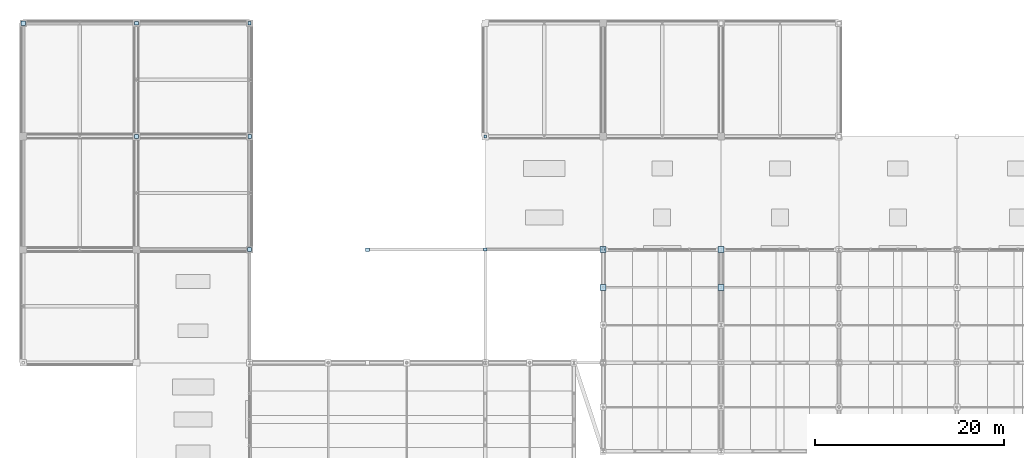
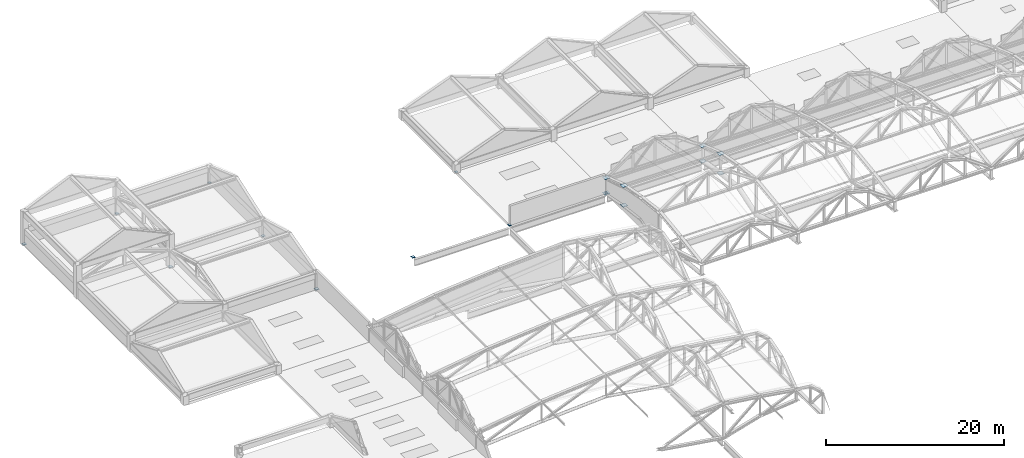
# One storey, part 106 of 117: 18 plates.
"""IFC4 building model written with IfcOpenShell, lengths in metres."""

import ifcopenshell
import ifcopenshell.guid

model = None  # the IFC model being written
_history = None  # IfcOwnerHistory: only IFC2X3 demands one
_inside = {}  # id of a spatial element -> (the spatial element, [elements in it])
_under = {}  # id of a project, library or spatial element -> (it, [spatial elements below it])
_declared = {}  # id of a project -> (the project, [libraries it declares])
_typed = {}  # id of a type object -> (the type object, [elements of that type])
_made_of = {}  # id of a material, layer set ... -> (it, [elements and type objects made of it])


def new_model(schema):
    """Start an empty IFC model of exactly this schema.

    Asked for "IFC4X3", IfcOpenShell would pick the latest addendum, in which some entities
    have other attributes; the version numbers below select the first issue.
    IFC2X3 requires an IfcOwnerHistory on every rooted entity: one is made here for all.
    """
    global model, _history
    if schema == "IFC4X3":
        model = ifcopenshell.file(schema_version=(4, 3, 0, 0))
    else:
        model = ifcopenshell.file(schema=schema)
    _inside.clear()
    _under.clear()
    _declared.clear()
    _typed.clear()
    _made_of.clear()
    _history = None
    if model.schema == "IFC2X3":
        org = make("IfcOrganization", Name="unknown")
        user = make(
            "IfcPersonAndOrganization",
            ThePerson=make("IfcPerson", FamilyName="unknown"),
            TheOrganization=org,
        )
        app = make(
            "IfcApplication",
            ApplicationDeveloper=org,
            Version="unknown",
            ApplicationFullName="unknown",
            ApplicationIdentifier="unknown",
        )
        _history = make(
            "IfcOwnerHistory",
            OwningUser=user,
            OwningApplication=app,
            ChangeAction="ADDED",
            CreationDate=0,
        )
    return model


def make(cls, **values):
    """One entity of the class cls with the attributes given. An attribute that is None is left unset."""
    return model.create_entity(
        cls, **{name: value for name, value in values.items() if value is not None}
    )


def rooted(cls, **values):
    """An entity with a GlobalId (a new one), such as an element, a storey or a relation."""
    return make(cls, GlobalId=ifcopenshell.guid.new(), OwnerHistory=_history, **values)


def si_unit(unit_type, name, prefix=None):
    """IfcSIUnit, for example si_unit("LENGTHUNIT", "METRE", prefix="MILLI")."""
    return make("IfcSIUnit", UnitType=unit_type, Prefix=prefix, Name=name)


def assignment(units):
    """IfcUnitAssignment: the units of a project."""
    return None if units is None else make("IfcUnitAssignment", Units=units)


def point(xyz):
    """IfcCartesianPoint."""
    return None if xyz is None else make("IfcCartesianPoint", Coordinates=xyz)


def direction(xyz):
    """IfcDirection."""
    return None if xyz is None else make("IfcDirection", DirectionRatios=xyz)


def frame(location, z_axis=None, x_axis=None):
    """IfcAxis2Placement3D, a coordinate frame: its origin and axes. An axis left out is left unset."""
    return make(
        "IfcAxis2Placement3D",
        Location=point(location),
        Axis=direction(z_axis),
        RefDirection=direction(x_axis),
    )


def frame_2d(location, x_axis=None):
    """IfcAxis2Placement2D, a coordinate frame in the plane: its origin and x axis."""
    return make(
        "IfcAxis2Placement2D", Location=point(location), RefDirection=direction(x_axis)
    )


def origin():
    """The frame at (0, 0, 0) with its axes left unset."""
    return frame((0.0, 0.0, 0.0))


def origin_2d():
    """The frame at (0, 0) in the plane with its x axis left unset."""
    return frame_2d((0.0, 0.0))


def place(relative_to, where):
    """IfcLocalPlacement: puts the frame where relative to a parent placement (None: the world)."""
    return make(
        "IfcLocalPlacement", PlacementRelTo=relative_to, RelativePlacement=where
    )


def context(
    kind, dimensions, precision=None, world=None, true_north=None, identifier=None
):
    """IfcGeometricRepresentationContext, for example the 3D "Model" context."""
    return make(
        "IfcGeometricRepresentationContext",
        ContextIdentifier=identifier,
        ContextType=kind,
        CoordinateSpaceDimension=dimensions,
        Precision=precision,
        WorldCoordinateSystem=world,
        TrueNorth=true_north,
    )


def subcontext(parent, identifier, kind, view, scale=None):
    """IfcGeometricRepresentationSubContext, for example "Body" below "Model"."""
    return make(
        "IfcGeometricRepresentationSubContext",
        ContextIdentifier=identifier,
        ContextType=kind,
        ParentContext=parent,
        TargetScale=scale,
        TargetView=view,
    )


def project(units=None, contexts=None):
    """IfcProject with its units and contexts."""
    return rooted(
        "IfcProject",
        Name="project",
        RepresentationContexts=contexts,
        UnitsInContext=assignment(units),
    )


def spatial(cls, under=None, at=None, **own):
    """A site, building, storey or space (cls), placed at a placement, below another one or the project."""
    s = rooted(cls, ObjectPlacement=at, **own)
    if under is not None:
        _under.setdefault(under.id(), (under, []))[1].append(s)
    return s


def profile(cls, at=None, kind="AREA", **sizes):
    """A parametric profile (cls). Its sizes go by their IFC names, for example OverallWidth=200.0."""
    return make(cls, ProfileType=kind, Position=at, **sizes)


def rectangle(**sizes):
    """IfcRectangleProfileDef."""
    return profile("IfcRectangleProfileDef", **sizes)


def extrude(swept, where, along, depth):
    """IfcExtrudedAreaSolid: the profile swept, set in the frame where, extruded along a direction by depth."""
    return make(
        "IfcExtrudedAreaSolid",
        SweptArea=swept,
        Position=where,
        ExtrudedDirection=direction(along),
        Depth=depth,
    )


def shape(context_of_items, identifier, shape_type, items):
    """IfcShapeRepresentation: the items that make up one representation, for example the "Body"."""
    return make(
        "IfcShapeRepresentation",
        ContextOfItems=context_of_items,
        RepresentationIdentifier=identifier,
        RepresentationType=shape_type,
        Items=items,
    )


def material(Name=None, Category=None):
    """IfcMaterial."""
    return make("IfcMaterial", Name=Name, Category=Category)


def layer(
    of_material, thickness, ventilated=None, Name=None, Category=None, Priority=None
):
    """IfcMaterialLayer: one layer of a wall or slab, of a material (None: an air gap)."""
    return make(
        "IfcMaterialLayer",
        Material=of_material,
        LayerThickness=thickness,
        IsVentilated=ventilated,
        Name=Name,
        Category=Category,
        Priority=Priority,
    )


def layer_set(layers, Name=None):
    """IfcMaterialLayerSet."""
    return make("IfcMaterialLayerSet", MaterialLayers=layers, LayerSetName=Name)


def made_of(thing, what):
    """Note that an element or type object is made of a material, layer set ...; save() writes the relation."""
    if what is not None:
        _made_of.setdefault(what.id(), (what, []))[1].append(thing)
    return thing


def type_object(cls, material=None, **own):
    """A type object (cls), such as IfcWallType, which elements share."""
    return made_of(rooted(cls, **own), material)


def element(
    cls,
    number,
    at=None,
    inside=None,
    cuts=None,
    type_object=None,
    material=None,
    context=None,
    identifier="Body",
    shape_type=None,
    held_by="IfcProductDefinitionShape",
    body=None,
    shapes=None,
    **own,
):
    """One element of the class cls, such as IfcWall. Its Tag is "e" and its number.

    at: its placement. inside: the storey or other place that contains it. cuts: it is an
    opening in that element (IfcRelVoidsElement). A single representation is given by context,
    identifier, shape_type and body (its items); several are given by shapes. held_by: the class
    of the entity that holds the representations. save() writes the other relations.
    """
    e = rooted(cls, Tag="e%d" % number, ObjectPlacement=at, **own)
    if body is not None:
        shapes = [shape(context, identifier, shape_type, body)]
    if shapes is not None:
        e.Representation = make(held_by, Representations=shapes)
    if inside is not None:
        _inside.setdefault(inside.id(), (inside, []))[1].append(e)
    if cuts is not None:
        rooted(
            "IfcRelVoidsElement", RelatingBuildingElement=cuts, RelatedOpeningElement=e
        )
    if type_object is not None:
        _typed.setdefault(type_object.id(), (type_object, []))[1].append(e)
    return made_of(e, material)


def aggregate(whole, parts):
    """IfcRelAggregates: a whole, such as a stair, and the parts it consists of."""
    return rooted("IfcRelAggregates", RelatingObject=whole, RelatedObjects=parts)


def save(model, path):
    """Write the relations noted so far, then the file.

    IfcRelAggregates (storeys below a building ...), IfcRelContainedInSpatialStructure (elements
    in a storey), IfcRelDefinesByType, IfcRelAssociatesMaterial and IfcRelDeclares: one each for
    every whole, place, type object, material and project.
    """
    for whole, parts in _under.values():
        aggregate(whole, parts)
    for where, things in _inside.values():
        rooted(
            "IfcRelContainedInSpatialStructure",
            RelatedElements=things,
            RelatingStructure=where,
        )
    for kind, things in _typed.values():
        rooted("IfcRelDefinesByType", RelatedObjects=things, RelatingType=kind)
    for what, things in _made_of.values():
        rooted("IfcRelAssociatesMaterial", RelatedObjects=things, RelatingMaterial=what)
    for by, libraries in _declared.values():
        rooted("IfcRelDeclares", RelatingContext=by, RelatedDefinitions=libraries)
    model.write(path)


model = new_model("IFC4")

# Units and contexts
model_context = context("Model", 3, precision=1e-05, world=origin(), true_north=direction((0.0, 1.0)))
body_context = subcontext(model_context, "Body", "Model", "MODEL_VIEW")
ifc_project = project(units=[si_unit("LENGTHUNIT", "METRE"), si_unit("AREAUNIT", "SQUARE_METRE"), si_unit("VOLUMEUNIT", "CUBIC_METRE"), si_unit("PLANEANGLEUNIT", "RADIAN"), si_unit("MASSUNIT", "GRAM", prefix="KILO")], contexts=[model_context])

# Site, building, storey
site_placement = place(None, origin())
site = spatial("IfcSite", under=ifc_project, at=site_placement, CompositionType="ELEMENT")
building_placement = place(site_placement, origin())
building = spatial("IfcBuilding", under=site, at=building_placement, Name="Kazenohara Klinker Stadium", CompositionType="ELEMENT")
storey_placement = place(building_placement, frame((0.0, 0.0, 31.199951171875)))
storey = spatial("IfcBuildingStorey", under=building, at=storey_placement, Name="RF", CompositionType="ELEMENT", Elevation=31.199951171875)

# Plates
ifc_material = material(Name="Steel S355", Category="steel")
ifc_layer_1 = layer(ifc_material, 0.02197265625)
ifc_layer_set_1 = layer_set([ifc_layer_1], Name="Steel S355")
plate_type_1 = type_object("IfcPlateType", Name="PLT-GP02", PredefinedType="USERDEFINED", material=ifc_layer_set_1)
plate_1_placement = place(storey_placement, frame((61.5, 144.0, -0.010986328125), z_axis=(0.0, 0.0, 1.0), x_axis=(1.0, 0.0, 0.0)))
element("IfcPlate", 1, at=plate_1_placement, inside=storey, type_object=plate_type_1, Name="Hollow column end-cap plate GP02 RF 6/N", ObjectType="GUSSET PLATE", PredefinedType="USERDEFINED", context=body_context, shape_type="SweptSolid", body=[
    extrude(rectangle(XDim=0.2900390625, YDim=0.2900390625, at=origin_2d()), origin(), (0.0, 0.0, 1.0), 0.02197265625),
])
ifc_layer_2 = layer(ifc_material, 0.02392578125)
ifc_layer_set_2 = layer_set([ifc_layer_2], Name="Steel S355")
plate_type_2 = type_object("IfcPlateType", Name="PLT-GP03", PredefinedType="USERDEFINED", material=ifc_layer_set_2)
plate_2_placement = place(storey_placement, frame((24.0, 168.0, -0.011962890625), z_axis=(0.0, 0.0, 1.0), x_axis=(1.0, 0.0, 0.0)))
element("IfcPlate", 2, at=plate_2_placement, inside=storey, type_object=plate_type_2, Name="Hollow column end-cap plate GP03 RF 3/Q", ObjectType="GUSSET PLATE", PredefinedType="USERDEFINED", context=body_context, shape_type="SweptSolid", body=[
    extrude(rectangle(XDim=0.340087890625, YDim=0.340087890625, at=origin_2d()), origin(), (0.0, 0.0, 1.0), 0.02392578125),
])
plate_3_placement = place(storey_placement, frame((36.5, 144.0, -0.011962890625), z_axis=(0.0, 0.0, 1.0), x_axis=(1.0, 0.0, 0.0)))
element("IfcPlate", 3, at=plate_3_placement, inside=storey, type_object=plate_type_2, Name="Hollow column end-cap plate GP03 RF 4/N", ObjectType="GUSSET PLATE", PredefinedType="USERDEFINED", context=body_context, shape_type="SweptSolid", body=[
    extrude(rectangle(XDim=0.389892578125, YDim=0.389892578125, at=origin_2d()), origin(), (0.0, 0.0, 1.0), 0.02392578125),
])
plate_4_placement = place(storey_placement, frame((49.0, 156.0, -0.011962890625), z_axis=(0.0, 0.0, 1.0), x_axis=(1.0, 0.0, 0.0)))
element("IfcPlate", 4, at=plate_4_placement, inside=storey, type_object=plate_type_2, Name="Hollow column end-cap plate GP03 RF 5/P", ObjectType="GUSSET PLATE", PredefinedType="USERDEFINED", context=body_context, shape_type="SweptSolid", body=[
    extrude(rectangle(XDim=0.2900390625, YDim=0.2900390625, at=origin_2d()), origin(), (0.0, 0.0, 1.0), 0.02392578125),
])
for number, where, z_axis, x_axis, name in (
    (5, (61.5, 144.0, -0.031982421875), (0.0, 0.0, 1.0), (1.0, 0.0, 0.0), "ROOF TRUSS RT-N01 node gusset plate BN1"),
    (6, (61.5, 144.0, 2.088134765625), (0.0, 0.0, 1.0), (1.0, 0.0, 0.0), "ROOF TRUSS RT-N01 node gusset plate TN1"),
):
    element("IfcPlate", number, at=place(storey_placement, frame(where, z_axis=z_axis, x_axis=x_axis)), inside=storey, type_object=plate_type_2, Name=name, ObjectType="GUSSET PLATE", PredefinedType="USERDEFINED", context=body_context, shape_type="SweptSolid", body=[
        extrude(rectangle(XDim=0.639892578125, YDim=0.639892578125, at=origin_2d()), origin(), (0.0, 0.0, 1.0), 0.02392578125),
    ])
ifc_layer_3 = layer(ifc_material, 0.02490234375)
ifc_layer_set_3 = layer_set([ifc_layer_3], Name="Steel S355")
plate_type_3 = type_object("IfcPlateType", Name="PLT-GP04", PredefinedType="USERDEFINED", material=ifc_layer_set_3)
for number, where, z_axis, x_axis, name in (
    (7, (0.0, 168.0, -0.012451171875), (0.0, 0.0, 1.0), (1.0, 0.0, 0.0), "Hollow column end-cap plate GP04 RF 1/Q"),
    (8, (12.0, 156.0, -0.012451171875), (0.0, 0.0, 1.0), (1.0, 0.0, 0.0), "Hollow column end-cap plate GP04 RF 2/P"),
):
    element("IfcPlate", number, at=place(storey_placement, frame(where, z_axis=z_axis, x_axis=x_axis)), inside=storey, type_object=plate_type_3, Name=name, ObjectType="GUSSET PLATE", PredefinedType="USERDEFINED", context=body_context, shape_type="SweptSolid", body=[
        extrude(rectangle(XDim=0.43994140625, YDim=0.43994140625, at=origin_2d()), origin(), (0.0, 0.0, 1.0), 0.02490234375),
    ])
plate_5_placement = place(storey_placement, frame((12.0, 168.0, -0.012451171875), z_axis=(0.0, 0.0, 1.0), x_axis=(1.0, 0.0, 0.0)))
element("IfcPlate", 9, at=plate_5_placement, inside=storey, type_object=plate_type_3, Name="Hollow column end-cap plate GP04 RF 2/Q", ObjectType="GUSSET PLATE", PredefinedType="USERDEFINED", context=body_context, shape_type="SweptSolid", body=[
    extrude(rectangle(XDim=0.389892578125, YDim=0.389892578125, at=origin_2d()), origin(), (0.0, 0.0, 1.0), 0.02490234375),
])
plate_6_placement = place(storey_placement, frame((24.0, 144.0, -0.012451171875), z_axis=(0.0, 0.0, 1.0), x_axis=(1.0, 0.0, 0.0)))
element("IfcPlate", 10, at=plate_6_placement, inside=storey, type_object=plate_type_3, Name="Hollow column end-cap plate GP04 RF 3/N", ObjectType="GUSSET PLATE", PredefinedType="USERDEFINED", context=body_context, shape_type="SweptSolid", body=[
    extrude(rectangle(XDim=0.43994140625, YDim=0.43994140625, at=origin_2d()), origin(), (0.0, 0.0, 1.0), 0.02490234375),
])
plate_7_placement = place(storey_placement, frame((24.0, 156.0, -0.012451171875), z_axis=(0.0, 0.0, 1.0), x_axis=(1.0, 0.0, 0.0)))
element("IfcPlate", 11, at=plate_7_placement, inside=storey, type_object=plate_type_3, Name="Hollow column end-cap plate GP04 RF 3/P", ObjectType="GUSSET PLATE", PredefinedType="USERDEFINED", context=body_context, shape_type="SweptSolid", body=[
    extrude(rectangle(XDim=0.389892578125, YDim=0.389892578125, at=origin_2d()), origin(), (0.0, 0.0, 1.0), 0.02490234375),
])
plate_8_placement = place(storey_placement, frame((49.0, 144.0, -0.012451171875), z_axis=(0.0, 0.0, 1.0), x_axis=(1.0, 0.0, 0.0)))
element("IfcPlate", 12, at=plate_8_placement, inside=storey, type_object=plate_type_3, Name="Hollow column end-cap plate GP04 RF 5/N", ObjectType="GUSSET PLATE", PredefinedType="USERDEFINED", context=body_context, shape_type="SweptSolid", body=[
    extrude(rectangle(XDim=0.340087890625, YDim=0.340087890625, at=origin_2d()), origin(), (0.0, 0.0, 1.0), 0.02490234375),
])
for number, where, z_axis, x_axis, name in (
    (13, (61.5, 140.0, 0.737548828125), (0.0, 0.0, 1.0), (1.0, 0.0, 0.0), "ROOF TRUSS RT-N01 node gusset plate BN2"),
    (14, (61.5, 140.0, 3.4375), (0.0, 0.0, 1.0), (1.0, 0.0, 0.0), "ROOF TRUSS RT-N01 node gusset plate TN2"),
    (15, (74.0, 144.0, -0.032470703125), (0.0, 0.0, 1.0), (1.0, 0.0, 0.0), "ROOF TRUSS RT-N02 node gusset plate BN1"),
    (16, (74.0, 144.0, 2.087646484375), (0.0, 0.0, 1.0), (1.0, 0.0, 0.0), "ROOF TRUSS RT-N02 node gusset plate TN1"),
):
    element("IfcPlate", number, at=place(storey_placement, frame(where, z_axis=z_axis, x_axis=x_axis)), inside=storey, type_object=plate_type_3, Name=name, ObjectType="GUSSET PLATE", PredefinedType="USERDEFINED", context=body_context, shape_type="SweptSolid", body=[
        extrude(rectangle(XDim=0.639892578125, YDim=0.639892578125, at=origin_2d()), origin(), (0.0, 0.0, 1.0), 0.02490234375),
    ])
ifc_layer_4 = layer(ifc_material, 0.02587890625)
ifc_layer_set_4 = layer_set([ifc_layer_4], Name="Steel S355")
plate_type_4 = type_object("IfcPlateType", Name="PLT-GP05", PredefinedType="USERDEFINED", material=ifc_layer_set_4)
for number, where, z_axis, x_axis, name in (
    (17, (74.0, 140.0, 0.737060546875), (0.0, 0.0, 1.0), (1.0, 0.0, 0.0), "ROOF TRUSS RT-N02 node gusset plate BN2"),
    (18, (74.0, 140.0, 3.43701171875), (0.0, 0.0, 1.0), (1.0, 0.0, 0.0), "ROOF TRUSS RT-N02 node gusset plate TN2"),
):
    element("IfcPlate", number, at=place(storey_placement, frame(where, z_axis=z_axis, x_axis=x_axis)), inside=storey, type_object=plate_type_4, Name=name, ObjectType="GUSSET PLATE", PredefinedType="USERDEFINED", context=body_context, shape_type="SweptSolid", body=[
        extrude(rectangle(XDim=0.639892578125, YDim=0.639892578125, at=origin_2d()), origin(), (0.0, 0.0, 1.0), 0.02587890625),
    ])

save(model, "model.ifc")
